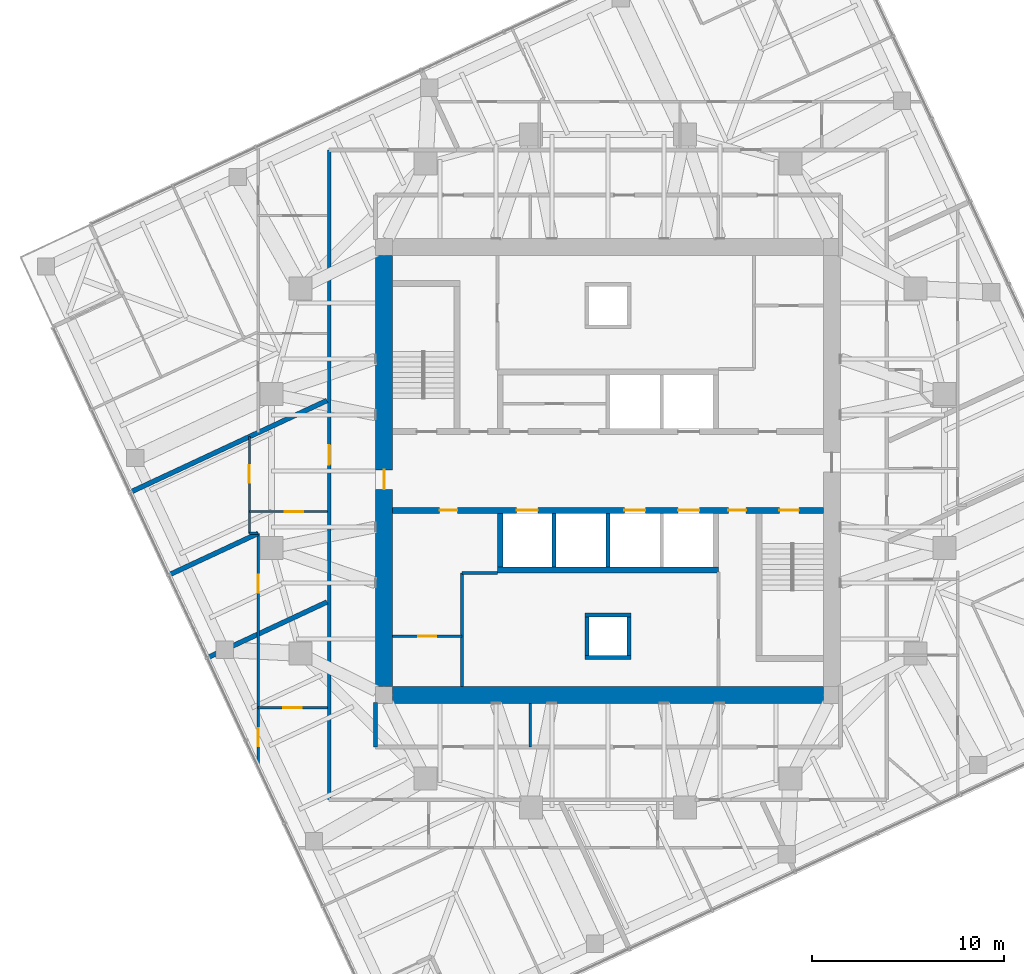
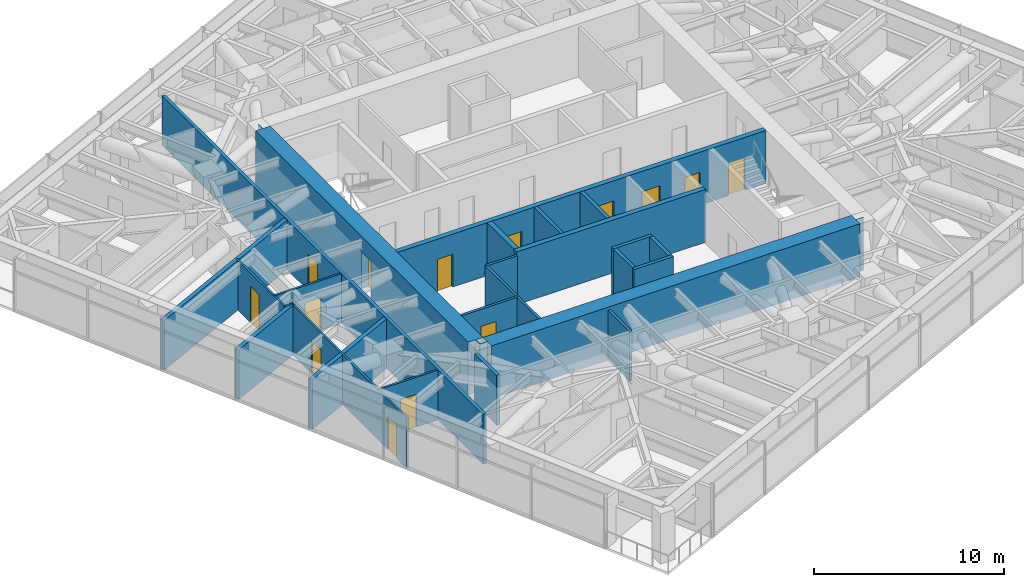
# One storey, part 10 of 16: 25 walls, 14 doors, 14 openings.
"""IFC4 building model written with IfcOpenShell, lengths in metres."""

from ifc_helpers import new_model, si_unit, direction, frame, frame_2d, origin, place, context, subcontext, project, spatial, polyline, rectangle, outline, extrude, material, layer, layer_set, type_object, element, fill, save


model = new_model("IFC4")

# Units and contexts
model_context = context("Model", 3, precision=1e-05, world=origin(), true_north=direction((0.0, 1.0)))
body_context = subcontext(model_context, "Body", "Model", "MODEL_VIEW")
ifc_project = project(units=[si_unit("LENGTHUNIT", "METRE"), si_unit("AREAUNIT", "SQUARE_METRE"), si_unit("VOLUMEUNIT", "CUBIC_METRE"), si_unit("PLANEANGLEUNIT", "RADIAN"), si_unit("MASSUNIT", "GRAM", prefix="KILO")], contexts=[model_context])

# Site, building, storey
site_placement = place(None, origin())
site = spatial("IfcSite", under=ifc_project, at=site_placement, CompositionType="ELEMENT")
building_placement = place(site_placement, origin())
building = spatial("IfcBuilding", under=site, at=building_placement, Name="Torsade Residences", CompositionType="ELEMENT")
storey_placement = place(building_placement, frame((0.0, 0.0, 199.800048828125)))
storey = spatial("IfcBuildingStorey", under=building, at=storey_placement, Name="L55", CompositionType="ELEMENT", Elevation=199.800048828125)

# Wall, openings, doors
ifc_material_1 = material(Name="Concrete 80 MPa", Category="concrete")
ifc_layer_1 = layer(ifc_material_1, 0.300048828125)
ifc_layer_set_1 = layer_set([ifc_layer_1], Name="Concrete 80 MPa")
wall_type_1 = type_object("IfcWallType", Name="CORE INTERNAL WALL 300", PredefinedType="SHEAR", material=ifc_layer_set_1)
wall_1_placement = place(storey_placement, frame((51.199951171875, 27.949951171875, 0.0), z_axis=(0.0, 0.0, 1.0), x_axis=(-1.0, 0.0, 0.0)))
wall_1 = element("IfcWall", 1, at=wall_1_placement, inside=storey, type_object=wall_type_1, Name="Core wall LS L55", PredefinedType="SHEAR", context=body_context, shape_type="SweptSolid", body=[
    extrude(rectangle(XDim=22.39990234375, YDim=0.300048828125, at=frame_2d((11.199951171875, 0.0))), origin(), (0.0, 0.0, 1.0), 3.39990234375),
])
opening_1_placement = place(wall_1_placement, frame((19.0400390625, 0.0, 0.0)))
opening_1 = element("IfcOpeningElement", 2, at=opening_1_placement, cuts=wall_1, Name="Opening D06", PredefinedType="OPENING", context=body_context, shape_type="SweptSolid", body=[
    extrude(rectangle(XDim=0.919921875, YDim=2.10009765625, at=frame_2d((0.4599609375, 1.050048828125))), frame((0.0, 0.159912109375, 0.0), z_axis=(0.0, -1.0, 0.0), x_axis=(1.0, 0.0, 0.0)), (0.0, 0.0, 1.0), 0.320068359375),
])
opening_2_placement = place(wall_1_placement, frame((1.264892578125, 0.0, 0.0)))
opening_2 = element("IfcOpeningElement", 3, at=opening_2_placement, cuts=wall_1, Name="Opening D03", PredefinedType="OPENING", context=body_context, shape_type="SweptSolid", body=[
    extrude(rectangle(XDim=1.02001953125, YDim=2.10009765625, at=frame_2d((0.510009765625, 1.050048828125))), frame((0.0, 0.159912109375, 0.0), z_axis=(0.0, -1.0, 0.0), x_axis=(1.0, 0.0, 0.0)), (0.0, 0.0, 1.0), 0.320068359375),
])
opening_3_placement = place(wall_1_placement, frame((4.014892578125, 0.0, 0.0)))
opening_3 = element("IfcOpeningElement", 4, at=opening_3_placement, cuts=wall_1, Name="Opening D06", PredefinedType="OPENING", context=body_context, shape_type="SweptSolid", body=[
    extrude(rectangle(XDim=0.919921875, YDim=2.10009765625, at=frame_2d((0.4599609375, 1.050048828125))), frame((0.0, 0.159912109375, 0.0), z_axis=(0.0, -1.0, 0.0), x_axis=(1.0, 0.0, 0.0)), (0.0, 0.0, 1.0), 0.320068359375),
])
opening_4_placement = place(wall_1_placement, frame((6.449951171875, 0.0, 0.0)))
opening_4 = element("IfcOpeningElement", 5, at=opening_4_placement, cuts=wall_1, Name="Opening LD", PredefinedType="OPENING", context=body_context, shape_type="SweptSolid", body=[
    extrude(rectangle(XDim=1.10009765625, YDim=2.10009765625, at=frame_2d((0.550048828125, 1.050048828125))), frame((0.0, 0.159912109375, 0.0), z_axis=(0.0, -1.0, 0.0), x_axis=(1.0, 0.0, 0.0)), (0.0, 0.0, 1.0), 0.320068359375),
])
opening_5_placement = place(wall_1_placement, frame((9.25, 0.0, 0.0)))
opening_5 = element("IfcOpeningElement", 6, at=opening_5_placement, cuts=wall_1, Name="Opening LD", PredefinedType="OPENING", context=body_context, shape_type="SweptSolid", body=[
    extrude(rectangle(XDim=1.10009765625, YDim=2.10009765625, at=frame_2d((0.550048828125, 1.050048828125))), frame((0.0, 0.159912109375, 0.0), z_axis=(0.0, -1.0, 0.0), x_axis=(1.0, 0.0, 0.0)), (0.0, 0.0, 1.0), 0.320068359375),
])
opening_6_placement = place(wall_1_placement, frame((14.85009765625, 0.0, 0.0)))
opening_6 = element("IfcOpeningElement", 7, at=opening_6_placement, cuts=wall_1, Name="Opening LD", PredefinedType="OPENING", context=body_context, shape_type="SweptSolid", body=[
    extrude(rectangle(XDim=1.10009765625, YDim=2.10009765625, at=frame_2d((0.550048828125, 1.050048828125))), frame((0.0, 0.159912109375, 0.0), z_axis=(0.0, -1.0, 0.0), x_axis=(1.0, 0.0, 0.0)), (0.0, 0.0, 1.0), 0.320068359375),
])
ifc_material_2 = material(Name="Steel-framed fire door", Category="steel")
door_type_1 = type_object("IfcDoorType", Name="FIRE DOOR 1020", OperationType="NOTDEFINED", PredefinedType="DOOR", material=ifc_material_2)
door_1_placement = place(opening_2_placement, origin())
door_1 = element("IfcDoor", 8, at=door_1_placement, inside=storey, type_object=door_type_1, Name="Exit door to fire-isolated stair ST2 L55", OperationType="SINGLE_SWING_RIGHT", OverallHeight=2.10009765625, OverallWidth=1.02001953125, PredefinedType="DOOR", context=body_context, shape_type="SweptSolid", body=[
    extrude(rectangle(XDim=1.02001953125, YDim=2.10009765625, at=frame_2d((0.510009765625, 1.050048828125))), frame((0.0, 0.02490234375, 0.0), z_axis=(0.0, -1.0, 0.0), x_axis=(1.0, 0.0, 0.0)), (0.0, 0.0, 1.0), 0.050048828125),
])
fill(opening_2, door_1)
ifc_material_3 = material(Name="Steel-framed fire door", Category="steel")
door_type_2 = type_object("IfcDoorType", Name="FIRE DOOR 920", OperationType="NOTDEFINED", PredefinedType="DOOR", material=ifc_material_3)
door_2_placement = place(opening_1_placement, origin())
door_2 = element("IfcDoor", 9, at=door_2_placement, inside=storey, type_object=door_type_2, Name="Door Lift lobby to Cleaner store", OperationType="SINGLE_SWING_LEFT", OverallHeight=2.10009765625, OverallWidth=0.919921875, PredefinedType="DOOR", context=body_context, shape_type="SweptSolid", body=[
    extrude(rectangle(XDim=0.919921875, YDim=2.10009765625, at=frame_2d((0.4599609375, 1.050048828125))), frame((0.0, 0.02490234375, 0.0), z_axis=(0.0, -1.0, 0.0), x_axis=(1.0, 0.0, 0.0)), (0.0, 0.0, 1.0), 0.050048828125),
])
fill(opening_1, door_2)
door_3_placement = place(opening_3_placement, origin())
door_3 = element("IfcDoor", 10, at=door_3_placement, inside=storey, type_object=door_type_2, Name="Door Lift lobby to Security and data store", OperationType="SINGLE_SWING_RIGHT", OverallHeight=2.10009765625, OverallWidth=0.919921875, PredefinedType="DOOR", context=body_context, shape_type="SweptSolid", body=[
    extrude(rectangle(XDim=0.919921875, YDim=2.10009765625, at=frame_2d((0.4599609375, 1.050048828125))), frame((0.0, 0.02490234375, 0.0), z_axis=(0.0, -1.0, 0.0), x_axis=(1.0, 0.0, 0.0)), (0.0, 0.0, 1.0), 0.050048828125),
])
fill(opening_3, door_3)
ifc_material_4 = material(Name="Stainless steel lift landing door", Category="steel")
door_type_3 = type_object("IfcDoorType", Name="LIFT LANDING DOOR 1100", OperationType="SLIDING_TO_LEFT", PredefinedType="DOOR", material=ifc_material_4)
door_4_placement = place(opening_4_placement, origin())
door_4 = element("IfcDoor", 11, at=door_4_placement, inside=storey, type_object=door_type_3, Name="Lift LB1 landing door L55", OperationType="SLIDING_TO_LEFT", OverallHeight=2.10009765625, OverallWidth=1.10009765625, PredefinedType="DOOR", context=body_context, shape_type="SweptSolid", body=[
    extrude(rectangle(XDim=1.10009765625, YDim=2.10009765625, at=frame_2d((0.550048828125, 1.050048828125))), frame((0.0, 0.02490234375, 0.0), z_axis=(0.0, -1.0, 0.0), x_axis=(1.0, 0.0, 0.0)), (0.0, 0.0, 1.0), 0.050048828125),
])
fill(opening_4, door_4)
door_5_placement = place(opening_5_placement, origin())
door_5 = element("IfcDoor", 12, at=door_5_placement, inside=storey, type_object=door_type_3, Name="Lift LB2 landing door L55", OperationType="SLIDING_TO_LEFT", OverallHeight=2.10009765625, OverallWidth=1.10009765625, PredefinedType="DOOR", context=body_context, shape_type="SweptSolid", body=[
    extrude(rectangle(XDim=1.10009765625, YDim=2.10009765625, at=frame_2d((0.550048828125, 1.050048828125))), frame((0.0, 0.02490234375, 0.0), z_axis=(0.0, -1.0, 0.0), x_axis=(1.0, 0.0, 0.0)), (0.0, 0.0, 1.0), 0.050048828125),
])
fill(opening_5, door_5)
door_6_placement = place(opening_6_placement, origin())
door_6 = element("IfcDoor", 13, at=door_6_placement, inside=storey, type_object=door_type_3, Name="Lift FL2 landing door L55", OperationType="SLIDING_TO_LEFT", OverallHeight=2.10009765625, OverallWidth=1.10009765625, PredefinedType="DOOR", context=body_context, shape_type="SweptSolid", body=[
    extrude(rectangle(XDim=1.10009765625, YDim=2.10009765625, at=frame_2d((0.550048828125, 1.050048828125))), frame((0.0, 0.02490234375, 0.0), z_axis=(0.0, -1.0, 0.0), x_axis=(1.0, 0.0, 0.0)), (0.0, 0.0, 1.0), 0.050048828125),
])
fill(opening_6, door_6)

# Walls
wall_2_placement = place(storey_placement, frame((45.75, 24.85009765625, 0.0), z_axis=(0.0, 0.0, 1.0), x_axis=(-1.0, 0.0, 0.0)))
element("IfcWall", 14, at=wall_2_placement, inside=storey, type_object=wall_type_1, Name="Core wall BS L55", PredefinedType="SHEAR", context=body_context, shape_type="SweptSolid", body=[
    extrude(rectangle(XDim=11.5, YDim=0.300048828125, at=frame_2d((5.75, 0.0))), origin(), (0.0, 0.0, 1.0), 3.39990234375),
])
wall_3_placement = place(storey_placement, frame((34.39990234375, 27.800048828125, 0.0), z_axis=(0.0, 0.0, 1.0), x_axis=(0.0, -1.0, 0.0)))
element("IfcWall", 15, at=wall_3_placement, inside=storey, type_object=wall_type_1, Name="Core wall DS4 L55", PredefinedType="SHEAR", context=body_context, shape_type="SweptSolid", body=[
    extrude(rectangle(XDim=2.800048828125, YDim=0.300048828125, at=frame_2d((1.39990234375, 0.0))), origin(), (0.0, 0.0, 1.0), 3.39990234375),
])
ifc_material_5 = material(Name="Concrete 80 MPa", Category="concrete")
ifc_layer_2 = layer(ifc_material_5, 0.89990234375)
ifc_layer_set_2 = layer_set([ifc_layer_2], Name="Concrete 80 MPa")
wall_type_2 = type_object("IfcWallType", Name="CORE WALL 900", PredefinedType="SHEAR", material=ifc_layer_set_2)
wall_4_placement = place(storey_placement, frame((51.199951171875, 18.35009765625, 0.0), z_axis=(0.0, 0.0, 1.0), x_axis=(-1.0, 0.0, 0.0)))
element("IfcWall", 16, at=wall_4_placement, inside=storey, type_object=wall_type_2, Name="Core wall S L55", PredefinedType="SHEAR", context=body_context, shape_type="SweptSolid", body=[
    extrude(outline(polyline([(0.0, -0.449951171875), (22.39990234375, -0.449951171875), (22.39990234375, -0.02490234375), (22.849853515625, -0.02490234375), (22.849853515625, 0.02490234375), (22.39990234375, 0.02490234375), (22.39990234375, 0.449951171875), (0.0, 0.449951171875), (0.0, 0.02490234375), (-0.449951171875, 0.02490234375), (-0.449951171875, -0.02490234375), (0.0, -0.02490234375), (0.0, -0.449951171875)])), origin(), (0.0, 0.0, 1.0), 3.39990234375),
])

# Wall, opening, door
wall_5_placement = place(storey_placement, frame((28.35009765625, 41.199951171875, 0.0), z_axis=(0.0, 0.0, 1.0), x_axis=(0.0, -1.0, 0.0)))
wall_5 = element("IfcWall", 17, at=wall_5_placement, inside=storey, type_object=wall_type_2, Name="Core wall W L55", PredefinedType="SHEAR", context=body_context, shape_type="SweptSolid", body=[
    extrude(outline(polyline([(0.0, -0.449951171875), (22.39990234375, -0.449951171875), (22.39990234375, -0.02490234375), (22.849853515625, -0.02490234375), (22.849853515625, 0.02490234375), (22.39990234375, 0.02490234375), (22.39990234375, 0.449951171875), (0.0, 0.449951171875), (0.0, 0.02490234375), (-0.449951171875, 0.02490234375), (-0.449951171875, -0.02490234375), (0.0, -0.02490234375), (0.0, -0.449951171875)])), origin(), (0.0, 0.0, 1.0), 3.39990234375),
])
opening_7_placement = place(wall_5_placement, frame((11.139892578125, 0.0, 0.0)))
opening_7 = element("IfcOpeningElement", 18, at=opening_7_placement, cuts=wall_5, Name="Opening D04", PredefinedType="OPENING", context=body_context, shape_type="SweptSolid", body=[
    extrude(rectangle(XDim=1.02001953125, YDim=2.39990234375, at=frame_2d((0.510009765625, 1.199951171875))), frame((0.0, 0.4599609375, 0.0), z_axis=(0.0, -1.0, 0.0), x_axis=(1.0, 0.0, 0.0)), (0.0, 0.0, 1.0), 0.919921875),
])
ifc_material_6 = material(Name="Steel-framed fire door", Category="steel")
door_type_4 = type_object("IfcDoorType", Name="LOBBY SMOKE DOOR 1020x2400", OperationType="NOTDEFINED", PredefinedType="DOOR", material=ifc_material_6)
door_7_placement = place(opening_7_placement, origin())
door_7 = element("IfcDoor", 19, at=door_7_placement, inside=storey, type_object=door_type_4, Name="Lift lobby door W L55", OperationType="SINGLE_SWING_RIGHT", OverallHeight=2.39990234375, OverallWidth=1.02001953125, PredefinedType="DOOR", context=body_context, shape_type="SweptSolid", body=[
    extrude(rectangle(XDim=1.02001953125, YDim=2.39990234375, at=frame_2d((0.510009765625, 1.199951171875))), frame((0.0, 0.02490234375, 0.0), z_axis=(0.0, -1.0, 0.0), x_axis=(1.0, 0.0, 0.0)), (0.0, 0.0, 1.0), 0.050048828125),
])
fill(opening_7, door_7)

ifc_material_7 = material(Name="Plasterboard on steel stud", Category="steel")
ifc_layer_3 = layer(ifc_material_7, 0.199951171875)
ifc_layer_set_3 = layer_set([ifc_layer_3], Name="Plasterboard on steel stud")
wall_type_3 = type_object("IfcWallType", Name="CORRIDOR WALL 200", PredefinedType="PARTITIONING", material=ifc_layer_set_3)
wall_6_placement = place(storey_placement, frame((25.5, 46.699951171875, 0.0), z_axis=(0.0, 0.0, 1.0), x_axis=(0.0, -1.0, 0.0)))
wall_6 = element("IfcWall", 20, at=wall_6_placement, inside=storey, type_object=wall_type_3, Name="Corridor wall L55", PredefinedType="PARTITIONING", context=body_context, shape_type="SweptSolid", body=[
    extrude(rectangle(XDim=33.800048828125, YDim=0.199951171875, at=frame_2d((16.89990234375, 0.0))), origin(), (0.0, 0.0, 1.0), 3.199951171875),
])
opening_8_placement = place(wall_6_placement, frame((15.34912109375, 0.0, 0.0)))
opening_8 = element("IfcOpeningElement", 21, at=opening_8_placement, cuts=wall_6, Name="Opening D01", PredefinedType="OPENING", context=body_context, shape_type="SweptSolid", body=[
    extrude(rectangle(XDim=1.02001953125, YDim=2.340087890625, at=frame_2d((0.510009765625, 1.169921875))), frame((0.0, 0.10986328125, 0.0), z_axis=(0.0, -1.0, 0.0), x_axis=(1.0, 0.0, 0.0)), (0.0, 0.0, 1.0), 0.219970703125),
])
ifc_material_8 = material(Name="Solid-core timber fire door", Category="wood")
door_type_5 = type_object("IfcDoorType", Name="APARTMENT ENTRY DOOR 1020x2340", OperationType="NOTDEFINED", PredefinedType="DOOR", material=ifc_material_8)
door_8_placement = place(opening_8_placement, origin())
door_8 = element("IfcDoor", 22, at=door_8_placement, inside=storey, type_object=door_type_5, Name="Door Residential corridor to Kitchen and dining", OperationType="SINGLE_SWING_LEFT", OverallHeight=2.340087890625, OverallWidth=1.02001953125, PredefinedType="DOOR", context=body_context, shape_type="SweptSolid", body=[
    extrude(rectangle(XDim=1.02001953125, YDim=2.340087890625, at=frame_2d((0.510009765625, 1.169921875))), frame((0.0, 0.02490234375, 0.0), z_axis=(0.0, -1.0, 0.0), x_axis=(1.0, 0.0, 0.0)), (0.0, 0.0, 1.0), 0.050048828125),
])
fill(opening_8, door_8)

# Walls
wall_7_placement = place(storey_placement, frame((27.89990234375, 17.949951171875, 0.0), z_axis=(0.0, 0.0, 1.0), x_axis=(0.0, -1.0, 0.0)))
element("IfcWall", 23, at=wall_7_placement, inside=storey, type_object=wall_type_3, Name="Corridor wall L55", PredefinedType="PARTITIONING", context=body_context, shape_type="SweptSolid", body=[
    extrude(rectangle(XDim=2.300048828125, YDim=0.199951171875, at=frame_2d((1.14990234375, 0.0))), origin(), (0.0, 0.0, 1.0), 3.199951171875),
])
ifc_material_9 = material(Name="Reinforced blockwork", Category="masonry")
ifc_layer_4 = layer(ifc_material_9, 0.199951171875)
ifc_layer_set_4 = layer_set([ifc_layer_4], Name="Reinforced blockwork")
wall_type_4 = type_object("IfcWallType", Name="LIFT SHAFT DIVIDING WALL 200", PredefinedType="SOLIDWALL", material=ifc_layer_set_4)
for number, where, z_axis, x_axis, name in (
    (24, (40.0, 27.800048828125, 0.0), (0.0, 0.0, 1.0), (0.0, -1.0, 0.0), "Core wall DS2 L55"),
    (25, (37.199951171875, 27.800048828125, 0.0), (0.0, 0.0, 1.0), (0.0, -1.0, 0.0), "Core wall DS3 L55"),
):
    element("IfcWall", number, at=place(storey_placement, frame(where, z_axis=z_axis, x_axis=x_axis)), inside=storey, type_object=wall_type_4, Name=name, PredefinedType="SOLIDWALL", context=body_context, shape_type="SweptSolid", body=[
        extrude(rectangle(XDim=2.800048828125, YDim=0.199951171875, at=frame_2d((1.39990234375, 0.0))), origin(), (0.0, 0.0, 1.0), 3.39990234375),
    ])

# Wall, opening, door
ifc_material_10 = material(Name="Plasterboard on steel stud", Category="steel")
ifc_layer_5 = layer(ifc_material_10, 0.1201171875)
ifc_layer_set_5 = layer_set([ifc_layer_5], Name="Plasterboard on steel stud")
wall_type_5 = type_object("IfcWallType", Name="PARTITION 120", PredefinedType="PARTITIONING", material=ifc_layer_set_5)
wall_8_placement = place(storey_placement, frame((25.39990234375, 27.888916015625, 0.0), z_axis=(0.0, 0.0, 1.0), x_axis=(-1.0, 0.0, 0.0)))
wall_8 = element("IfcWall", 26, at=wall_8_placement, inside=storey, type_object=wall_type_5, Name="Partition L55", PredefinedType="PARTITIONING", context=body_context, shape_type="SweptSolid", body=[
    extrude(rectangle(XDim=4.0498046875, YDim=0.1201171875, at=frame_2d((2.02490234375, 0.0))), origin(), (0.0, 0.0, 1.0), 3.199951171875),
])
opening_9_placement = place(wall_8_placement, frame((1.2451171875, 0.0, 0.0)))
opening_9 = element("IfcOpeningElement", 27, at=opening_9_placement, cuts=wall_8, Name="Opening D05", PredefinedType="OPENING", context=body_context, shape_type="SweptSolid", body=[
    extrude(rectangle(XDim=0.9599609375, YDim=2.10009765625, at=frame_2d((0.47998046875, 1.050048828125))), frame((0.0, 0.070068359375, 0.0), z_axis=(0.0, -1.0, 0.0), x_axis=(1.0, 0.0, 0.0)), (0.0, 0.0, 1.0), 0.14013671875),
])
ifc_material_11 = material(Name="Hollow-core timber door in a steel cavity frame", Category="steel")
door_type_6 = type_object("IfcDoorType", Name="BATHROOM CAVITY SLIDING DOOR 960", OperationType="SLIDING_TO_LEFT", PredefinedType="DOOR", material=ifc_material_11)
door_9_placement = place(opening_9_placement, origin())
door_9 = element("IfcDoor", 28, at=door_9_placement, inside=storey, type_object=door_type_6, Name="Door Kitchen and dining to Bathroom", OperationType="SLIDING_TO_LEFT", OverallHeight=2.10009765625, OverallWidth=0.9599609375, PredefinedType="DOOR", context=body_context, shape_type="SweptSolid", body=[
    extrude(rectangle(XDim=0.9599609375, YDim=2.10009765625, at=frame_2d((0.47998046875, 1.050048828125))), frame((0.0, 0.02490234375, 0.0), z_axis=(0.0, -1.0, 0.0), x_axis=(1.0, 0.0, 0.0)), (0.0, 0.0, 1.0), 0.050048828125),
])
fill(opening_9, door_9)

wall_9_placement = place(storey_placement, frame((21.35009765625, 26.754150390625, 0.0), z_axis=(0.0, 0.0, 1.0), x_axis=(0.0, 1.0, 0.0)))
wall_9 = element("IfcWall", 29, at=wall_9_placement, inside=storey, type_object=wall_type_5, Name="Partition L55", PredefinedType="PARTITIONING", context=body_context, shape_type="SweptSolid", body=[
    extrude(rectangle(XDim=5.03125, YDim=0.1201171875, at=frame_2d((2.515625, 0.0))), origin(), (0.0, 0.0, 1.0), 3.199951171875),
])
opening_10_placement = place(wall_9_placement, frame((2.623046875, 0.0, 0.0)))
opening_10 = element("IfcOpeningElement", 30, at=opening_10_placement, cuts=wall_9, Name="Opening D02", PredefinedType="OPENING", context=body_context, shape_type="SweptSolid", body=[
    extrude(rectangle(XDim=0.919921875, YDim=2.340087890625, at=frame_2d((0.4599609375, 1.169921875))), frame((0.0, 0.070068359375, 0.0), z_axis=(0.0, -1.0, 0.0), x_axis=(1.0, 0.0, 0.0)), (0.0, 0.0, 1.0), 0.14013671875),
])
ifc_material_12 = material(Name="Hollow-core timber door", Category="wood")
door_type_7 = type_object("IfcDoorType", Name="INTERNAL DOOR 920x2340", OperationType="NOTDEFINED", PredefinedType="DOOR", material=ifc_material_12)
door_10_placement = place(opening_10_placement, origin())
door_10 = element("IfcDoor", 31, at=door_10_placement, inside=storey, type_object=door_type_7, Name="Door Kitchen and dining to Living room", OperationType="SINGLE_SWING_RIGHT", OverallHeight=2.340087890625, OverallWidth=0.919921875, PredefinedType="DOOR", context=body_context, shape_type="SweptSolid", body=[
    extrude(rectangle(XDim=0.919921875, YDim=2.340087890625, at=frame_2d((0.4599609375, 1.169921875))), frame((0.0, 0.02490234375, 0.0), z_axis=(0.0, -1.0, 0.0), x_axis=(1.0, 0.0, 0.0)), (0.0, 0.0, 1.0), 0.050048828125),
])
fill(opening_10, door_10)

# Wall
wall_10_placement = place(storey_placement, frame((21.800048828125, 26.754150390625, 0.0), z_axis=(0.0, 0.0, 1.0), x_axis=(-1.0, 0.0, 0.0)))
element("IfcWall", 32, at=wall_10_placement, inside=storey, type_object=wall_type_5, Name="Partition L55", PredefinedType="PARTITIONING", context=body_context, shape_type="SweptSolid", body=[
    extrude(rectangle(XDim=0.449951171875, YDim=0.1201171875, at=frame_2d((0.22509765625, 0.0))), origin(), (0.0, 0.0, 1.0), 3.199951171875),
])

# Wall, openings, doors
wall_11_placement = place(storey_placement, frame((21.800048828125, 14.6474609375, 0.0), z_axis=(0.0, 0.0, 1.0), x_axis=(0.0, 1.0, 0.0)))
wall_11 = element("IfcWall", 33, at=wall_11_placement, inside=storey, type_object=wall_type_5, Name="Partition L55", PredefinedType="PARTITIONING", context=body_context, shape_type="SweptSolid", body=[
    extrude(rectangle(XDim=12.106689453125, YDim=0.1201171875, at=frame_2d((6.05322265625, 0.0))), origin(), (0.0, 0.0, 1.0), 3.199951171875),
])
opening_11_placement = place(wall_11_placement, frame((1.041259765625, 0.0, 0.0)))
opening_11 = element("IfcOpeningElement", 34, at=opening_11_placement, cuts=wall_11, Name="Opening D02L", PredefinedType="OPENING", context=body_context, shape_type="SweptSolid", body=[
    extrude(rectangle(XDim=0.919921875, YDim=2.10009765625, at=frame_2d((0.4599609375, 1.050048828125))), frame((0.0, 0.070068359375, 0.0), z_axis=(0.0, -1.0, 0.0), x_axis=(1.0, 0.0, 0.0)), (0.0, 0.0, 1.0), 0.14013671875),
])
opening_12_placement = place(wall_11_placement, frame((9.00634765625, 0.0, 0.0)))
opening_12 = element("IfcOpeningElement", 35, at=opening_12_placement, cuts=wall_11, Name="Opening D05", PredefinedType="OPENING", context=body_context, shape_type="SweptSolid", body=[
    extrude(rectangle(XDim=0.9599609375, YDim=2.10009765625, at=frame_2d((0.47998046875, 1.050048828125))), frame((0.0, 0.070068359375, 0.0), z_axis=(0.0, -1.0, 0.0), x_axis=(1.0, 0.0, 0.0)), (0.0, 0.0, 1.0), 0.14013671875),
])
door_11_placement = place(opening_12_placement, origin())
door_11 = element("IfcDoor", 36, at=door_11_placement, inside=storey, type_object=door_type_6, Name="Door Bathroom to Bedroom 1", OperationType="SLIDING_TO_LEFT", OverallHeight=2.10009765625, OverallWidth=0.9599609375, PredefinedType="DOOR", context=body_context, shape_type="SweptSolid", body=[
    extrude(rectangle(XDim=0.9599609375, YDim=2.10009765625, at=frame_2d((0.47998046875, 1.050048828125))), frame((0.0, 0.02490234375, 0.0), z_axis=(0.0, -1.0, 0.0), x_axis=(1.0, 0.0, 0.0)), (0.0, 0.0, 1.0), 0.050048828125),
])
fill(opening_12, door_11)
ifc_material_13 = material(Name="Hollow-core timber door", Category="wood")
door_type_8 = type_object("IfcDoorType", Name="INTERNAL DOOR 920x2100", OperationType="NOTDEFINED", PredefinedType="DOOR", material=ifc_material_13)
door_12_placement = place(opening_11_placement, origin())
door_12 = element("IfcDoor", 37, at=door_12_placement, inside=storey, type_object=door_type_8, Name="Door Kitchen and dining to Bedroom 3", OperationType="SINGLE_SWING_LEFT", OverallHeight=2.10009765625, OverallWidth=0.919921875, PredefinedType="DOOR", context=body_context, shape_type="SweptSolid", body=[
    extrude(rectangle(XDim=0.919921875, YDim=2.10009765625, at=frame_2d((0.4599609375, 1.050048828125))), frame((0.0, 0.02490234375, 0.0), z_axis=(0.0, -1.0, 0.0), x_axis=(1.0, 0.0, 0.0)), (0.0, 0.0, 1.0), 0.050048828125),
])
fill(opening_11, door_12)

# Wall, opening, door
wall_12_placement = place(storey_placement, frame((21.800048828125, 17.689697265625, 0.0), z_axis=(0.0, 0.0, 1.0), x_axis=(1.0, 0.0, 0.0)))
wall_12 = element("IfcWall", 38, at=wall_12_placement, inside=storey, type_object=wall_type_5, Name="Partition L55", PredefinedType="PARTITIONING", context=body_context, shape_type="SweptSolid", body=[
    extrude(rectangle(XDim=3.599853515625, YDim=0.1201171875, at=frame_2d((1.7998046875, 0.0))), origin(), (0.0, 0.0, 1.0), 3.199951171875),
])
opening_13_placement = place(wall_12_placement, frame((1.320068359375, 0.0, 0.0)))
opening_13 = element("IfcOpeningElement", 39, at=opening_13_placement, cuts=wall_12, Name="Opening D05", PredefinedType="OPENING", context=body_context, shape_type="SweptSolid", body=[
    extrude(rectangle(XDim=0.9599609375, YDim=2.10009765625, at=frame_2d((0.47998046875, 1.050048828125))), frame((0.0, 0.070068359375, 0.0), z_axis=(0.0, -1.0, 0.0), x_axis=(1.0, 0.0, 0.0)), (0.0, 0.0, 1.0), 0.14013671875),
])
door_13_placement = place(opening_13_placement, origin())
door_13 = element("IfcDoor", 40, at=door_13_placement, inside=storey, type_object=door_type_6, Name="Door Kitchen and dining to Bathroom", OperationType="SLIDING_TO_LEFT", OverallHeight=2.10009765625, OverallWidth=0.9599609375, PredefinedType="DOOR", context=body_context, shape_type="SweptSolid", body=[
    extrude(rectangle(XDim=0.9599609375, YDim=2.10009765625, at=frame_2d((0.47998046875, 1.050048828125))), frame((0.0, 0.02490234375, 0.0), z_axis=(0.0, -1.0, 0.0), x_axis=(1.0, 0.0, 0.0)), (0.0, 0.0, 1.0), 0.050048828125),
])
fill(opening_13, door_13)

# Walls
ifc_material_14 = material(Name="Masonry-lined stud party wall", Category="masonry")
ifc_layer_6 = layer(ifc_material_14, 0.25)
ifc_layer_set_6 = layer_set([ifc_layer_6], Name="Masonry-lined stud party wall")
wall_type_6 = type_object("IfcWallType", Name="PARTY WALL 250", PredefinedType="PARTITIONING", material=ifc_layer_set_6)
wall_13_placement = place(storey_placement, frame((19.155029296875, 20.27978515625, 0.0), z_axis=(0.0, 0.0, 1.0), x_axis=(0.90631378723, 0.422605394046, 0.0)))
element("IfcWall", 41, at=wall_13_placement, inside=storey, type_object=wall_type_6, Name="Party wall L55", PredefinedType="PARTITIONING", context=body_context, shape_type="SweptSolid", body=[
    extrude(rectangle(XDim=6.872314453125, YDim=0.25, at=frame_2d((3.43603515625, 0.0))), origin(), (0.0, 0.0, 1.0), 3.199951171875),
])
wall_14_placement = place(storey_placement, frame((15.14013671875, 28.8896484375, 0.0), z_axis=(0.0, 0.0, 1.0), x_axis=(0.906306714884, 0.422620560972, 0.0)))
element("IfcWall", 42, at=wall_14_placement, inside=storey, type_object=wall_type_6, Name="Party wall L55", PredefinedType="PARTITIONING", context=body_context, shape_type="SweptSolid", body=[
    extrude(rectangle(XDim=11.30224609375, YDim=0.25, at=frame_2d((5.651123046875, 0.0))), origin(), (0.0, 0.0, 1.0), 3.199951171875),
])
wall_15_placement = place(storey_placement, frame((21.800048828125, 26.754150390625, 0.0), z_axis=(0.0, 0.0, 1.0), x_axis=(-0.906306780958, -0.422620419278, 0.0)))
element("IfcWall", 43, at=wall_15_placement, inside=storey, type_object=wall_type_6, Name="Party wall L55", PredefinedType="PARTITIONING", context=body_context, shape_type="SweptSolid", body=[
    extrude(rectangle(XDim=5.093505859375, YDim=0.25, at=frame_2d((2.546875, 0.0))), origin(), (0.0, 0.0, 1.0), 3.199951171875),
])
ifc_material_15 = material(Name="Reinforced blockwork", Category="masonry")
ifc_layer_7 = layer(ifc_material_15, 0.199951171875)
ifc_layer_set_7 = layer_set([ifc_layer_7], Name="Reinforced blockwork")
wall_type_7 = type_object("IfcWallType", Name="RISER SHAFT WALL 200", PredefinedType="SOLIDWALL", material=ifc_layer_set_7)
for number, where, z_axis, x_axis, name in (
    (44, (38.89990234375, 22.39990234375, 0.0), (0.0, 0.0, 1.0), (0.0, -1.0, 0.0), "Core wall RS2a L55"),
    (45, (41.10009765625, 22.39990234375, 0.0), (0.0, 0.0, 1.0), (0.0, -1.0, 0.0), "Core wall RS2b L55"),
):
    element("IfcWall", number, at=place(storey_placement, frame(where, z_axis=z_axis, x_axis=x_axis)), inside=storey, type_object=wall_type_7, Name=name, PredefinedType="SOLIDWALL", context=body_context, shape_type="SweptSolid", body=[
        extrude(rectangle(XDim=2.0, YDim=0.199951171875, at=frame_2d((1.0, 0.0))), origin(), (0.0, 0.0, 1.0), 3.39990234375),
    ])
for number, where, z_axis, x_axis, name in (
    (46, (38.800048828125, 22.5, 0.0), (0.0, 0.0, 1.0), (1.0, 0.0, 0.0), "Core wall RS2c L55"),
    (47, (38.800048828125, 20.300048828125, 0.0), (0.0, 0.0, 1.0), (1.0, 0.0, 0.0), "Core wall RS2d L55"),
):
    element("IfcWall", number, at=place(storey_placement, frame(where, z_axis=z_axis, x_axis=x_axis)), inside=storey, type_object=wall_type_7, Name=name, PredefinedType="SOLIDWALL", context=body_context, shape_type="SweptSolid", body=[
        extrude(rectangle(XDim=2.39990234375, YDim=0.199951171875, at=frame_2d((1.199951171875, 0.0))), origin(), (0.0, 0.0, 1.0), 3.39990234375),
    ])
ifc_material_16 = material(Name="Reinforced blockwork", Category="masonry")
ifc_layer_8 = layer(ifc_material_16, 0.14990234375)
ifc_layer_set_8 = layer_set([ifc_layer_8], Name="Reinforced blockwork")
wall_type_8 = type_object("IfcWallType", Name="SERVICE ROOM WALL 150", PredefinedType="SOLIDWALL", material=ifc_layer_set_8)
wall_16_placement = place(storey_placement, frame((32.39990234375, 18.800048828125, 0.0), z_axis=(0.0, 0.0, 1.0), x_axis=(0.0, 1.0, 0.0)))
element("IfcWall", 48, at=wall_16_placement, inside=storey, type_object=wall_type_8, Name="Service room wall L55", PredefinedType="SOLIDWALL", context=body_context, shape_type="SweptSolid", body=[
    extrude(rectangle(XDim=5.89990234375, YDim=0.14990234375, at=frame_2d((2.949951171875, 0.0))), origin(), (0.0, 0.0, 1.0), 3.199951171875),
])
wall_17_placement = place(storey_placement, frame((32.39990234375, 24.699951171875, 0.0), z_axis=(0.0, 0.0, 1.0), x_axis=(1.0, 0.0, 0.0)))
element("IfcWall", 49, at=wall_17_placement, inside=storey, type_object=wall_type_8, Name="Service room wall L55", PredefinedType="SOLIDWALL", context=body_context, shape_type="SweptSolid", body=[
    extrude(rectangle(XDim=1.85009765625, YDim=0.14990234375, at=frame_2d((0.925048828125, 0.0))), origin(), (0.0, 0.0, 1.0), 3.199951171875),
])

# Wall, opening, door
wall_18_placement = place(storey_placement, frame((32.39990234375, 21.39990234375, 0.0), z_axis=(0.0, 0.0, 1.0), x_axis=(-1.0, 0.0, 0.0)))
wall_18 = element("IfcWall", 50, at=wall_18_placement, inside=storey, type_object=wall_type_8, Name="Service room wall L55", PredefinedType="SOLIDWALL", context=body_context, shape_type="SweptSolid", body=[
    extrude(rectangle(XDim=3.599853515625, YDim=0.14990234375, at=frame_2d((1.7998046875, 0.0))), origin(), (0.0, 0.0, 1.0), 3.199951171875),
])
opening_14_placement = place(wall_18_placement, frame((1.340087890625, 0.0, 0.0)))
opening_14 = element("IfcOpeningElement", 51, at=opening_14_placement, cuts=wall_18, Name="Opening D06", PredefinedType="OPENING", context=body_context, shape_type="SweptSolid", body=[
    extrude(rectangle(XDim=0.919921875, YDim=2.10009765625, at=frame_2d((0.4599609375, 1.050048828125))), frame((0.0, 0.0849609375, 0.0), z_axis=(0.0, -1.0, 0.0), x_axis=(1.0, 0.0, 0.0)), (0.0, 0.0, 1.0), 0.169921875),
])
door_14_placement = place(opening_14_placement, origin())
door_14 = element("IfcDoor", 52, at=door_14_placement, inside=storey, type_object=door_type_2, Name="Door Cleaner store to Sprinkler valve room", OperationType="SINGLE_SWING_LEFT", OverallHeight=2.10009765625, OverallWidth=0.919921875, PredefinedType="DOOR", context=body_context, shape_type="SweptSolid", body=[
    extrude(rectangle(XDim=0.919921875, YDim=2.10009765625, at=frame_2d((0.4599609375, 1.050048828125))), frame((0.0, 0.02490234375, 0.0), z_axis=(0.0, -1.0, 0.0), x_axis=(1.0, 0.0, 0.0)), (0.0, 0.0, 1.0), 0.050048828125),
])
fill(opening_14, door_14)

# Wall
wall_19_placement = place(storey_placement, frame((35.95849609375, 15.64990234375, 0.0), z_axis=(0.0, 0.0, 1.0), x_axis=(0.0, 1.0, 0.0)))
element("IfcWall", 53, at=wall_19_placement, inside=storey, type_object=wall_type_8, Name="Service room wall L55", PredefinedType="SOLIDWALL", context=body_context, shape_type="SweptSolid", body=[
    extrude(rectangle(XDim=2.25, YDim=0.14990234375, at=frame_2d((1.125, 0.0))), origin(), (0.0, 0.0, 1.0), 3.199951171875),
])

save(model, "model.ifc")
